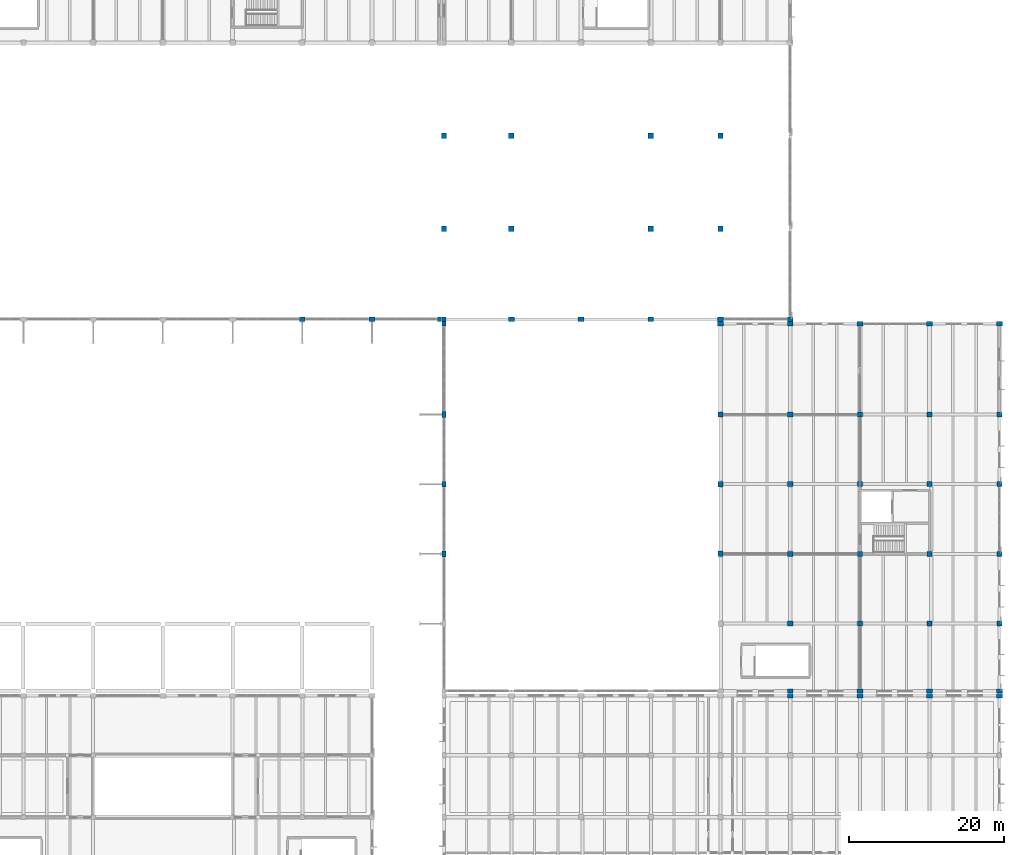
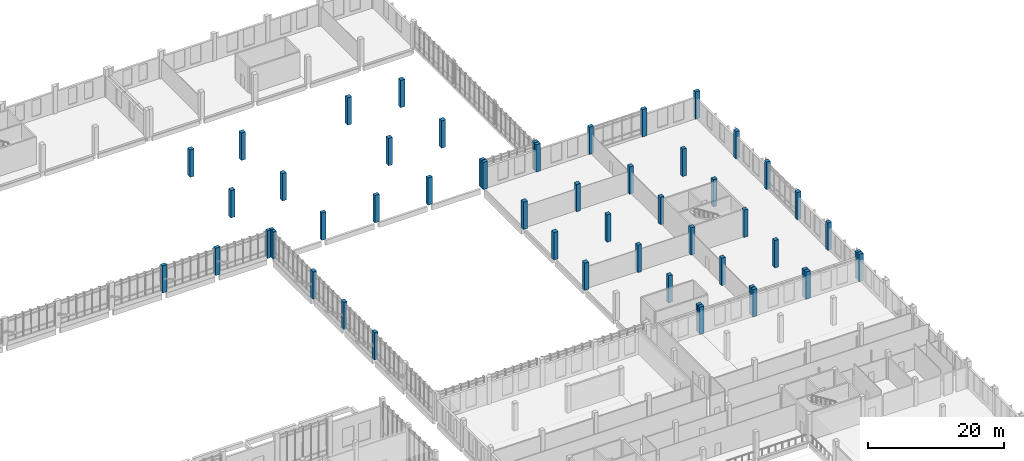
# One storey, part 9 of 110: 53 columns.
"""IFC4 building model written with IfcOpenShell, lengths in metres."""

from ifc_helpers import new_model, si_unit, direction, frame, origin, origin_2d, place, context, subcontext, project, spatial, rectangle, extrude, material, material_profile, profile_set, type_object, element, save


model = new_model("IFC4")

# Units and contexts
model_context = context("Model", 3, precision=1e-05, world=origin(), true_north=direction((0.0, 1.0)))
body_context = subcontext(model_context, "Body", "Model", "MODEL_VIEW")
ifc_project = project(units=[si_unit("LENGTHUNIT", "METRE"), si_unit("AREAUNIT", "SQUARE_METRE"), si_unit("VOLUMEUNIT", "CUBIC_METRE"), si_unit("PLANEANGLEUNIT", "RADIAN"), si_unit("MASSUNIT", "GRAM", prefix="KILO")], contexts=[model_context])

# Site, building, storey
site_placement = place(None, origin())
site = spatial("IfcSite", under=ifc_project, at=site_placement, CompositionType="ELEMENT")
building_placement = place(site_placement, origin())
building = spatial("IfcBuilding", under=site, at=building_placement, Name="Zacnel Wholesale Market", CompositionType="ELEMENT")
storey_placement = place(building_placement, frame((0.0, 0.0, 6.300048828125)))
storey = spatial("IfcBuildingStorey", under=building, at=storey_placement, Name="L02", CompositionType="ELEMENT", Elevation=6.300048828125)

# Columns
ifc_material_1 = material(Name="Precast concrete C45/55", Category="concrete")
ifc_material_profile_1 = material_profile(ifc_material_1, rectangle(XDim=0.550048828125, YDim=0.75, at=origin_2d()), Name="PC 550x750")
ifc_profile_set_1 = profile_set([ifc_material_profile_1], Name="Precast concrete C45/55")
column_type_1 = type_object("IfcColumnType", Name="COL-MJ550X750", PredefinedType="COLUMN", material=ifc_profile_set_1)
for number, where, z_axis, x_axis, name in (
    (1, (144.300048828125, 66.0, 0.0), (0.0, 0.0, 1.0), (1.0, 0.0, 0.0), "Precast column L02-0539"),
    (2, (144.300048828125, 75.0, 0.0), (0.0, 0.0, 1.0), (1.0, 0.0, 0.0), "Precast column L02-0540"),
    (3, (144.300048828125, 84.0, 0.0), (0.0, 0.0, 1.0), (1.0, 0.0, 0.0), "Precast column L02-0541"),
):
    element("IfcColumn", number, at=place(storey_placement, frame(where, z_axis=z_axis, x_axis=x_axis)), inside=storey, type_object=column_type_1, Name=name, PredefinedType="COLUMN", context=body_context, shape_type="SweptSolid", body=[
        extrude(rectangle(XDim=0.550048828125, YDim=0.75, at=origin_2d()), origin(), (0.0, 0.0, 1.0), 4.89990234375),
    ])
ifc_material_2 = material(Name="Precast concrete C45/55", Category="concrete")
ifc_material_profile_2 = material_profile(ifc_material_2, rectangle(XDim=0.75, YDim=0.550048828125, at=origin_2d()), Name="PC 750x550")
ifc_profile_set_2 = profile_set([ifc_material_profile_2], Name="Precast concrete C45/55")
column_type_2 = type_object("IfcColumnType", Name="COL-MJ750X550", PredefinedType="COLUMN", material=ifc_profile_set_2)
for number, where, z_axis, x_axis, name in (
    (4, (126.0, 96.300048828125, 0.0), (0.0, 0.0, 1.0), (1.0, 0.0, 0.0), "Precast column L02-0514"),
    (5, (135.0, 96.300048828125, 0.0), (0.0, 0.0, 1.0), (1.0, 0.0, 0.0), "Precast column L02-0522"),
    (6, (153.0, 96.300048828125, 0.0), (0.0, 0.0, 1.0), (1.0, 0.0, 0.0), "Precast column L02-0553"),
    (7, (162.0, 96.300048828125, 0.0), (0.0, 0.0, 1.0), (1.0, 0.0, 0.0), "Precast column L02-0563"),
    (8, (171.0, 96.300048828125, 0.0), (0.0, 0.0, 1.0), (1.0, 0.0, 0.0), "Precast column L02-0573"),
    (9, (180.0, 95.699951171875, 0.0), (0.0, 0.0, 1.0), (1.0, 0.0, 0.0), "Precast column L02-0587"),
    (10, (180.0, 96.300048828125, 0.0), (0.0, 0.0, 1.0), (1.0, 0.0, 0.0), "Precast column L02-0588"),
    (11, (189.0, 47.699951171875, 0.0), (0.0, 0.0, 1.0), (1.0, 0.0, 0.0), "Precast column L02-0597"),
    (12, (189.0, 48.300048828125, 0.0), (0.0, 0.0, 1.0), (1.0, 0.0, 0.0), "Precast column L02-0598"),
    (13, (189.0, 95.699951171875, 0.0), (0.0, 0.0, 1.0), (1.0, 0.0, 0.0), "Precast column L02-0603"),
    (14, (189.0, 96.300048828125, 0.0), (0.0, 0.0, 1.0), (1.0, 0.0, 0.0), "Precast column L02-0604"),
    (15, (198.0, 47.699951171875, 0.0), (0.0, 0.0, 1.0), (1.0, 0.0, 0.0), "Precast column L02-0613"),
    (16, (198.0, 48.300048828125, 0.0), (0.0, 0.0, 1.0), (1.0, 0.0, 0.0), "Precast column L02-0614"),
    (17, (198.0, 95.699951171875, 0.0), (0.0, 0.0, 1.0), (1.0, 0.0, 0.0), "Precast column L02-0619"),
    (18, (207.0, 47.699951171875, 0.0), (0.0, 0.0, 1.0), (1.0, 0.0, 0.0), "Precast column L02-0626"),
    (19, (207.0, 48.300048828125, 0.0), (0.0, 0.0, 1.0), (1.0, 0.0, 0.0), "Precast column L02-0627"),
    (20, (207.0, 95.699951171875, 0.0), (0.0, 0.0, 1.0), (1.0, 0.0, 0.0), "Precast column L02-0632"),
    (21, (216.0, 47.699951171875, 0.0), (0.0, 0.0, 1.0), (1.0, 0.0, 0.0), "Precast column L02-0639"),
    (22, (216.0, 48.300048828125, 0.0), (0.0, 0.0, 1.0), (1.0, 0.0, 0.0), "Precast column L02-0640"),
    (23, (216.0, 95.699951171875, 0.0), (0.0, 0.0, 1.0), (1.0, 0.0, 0.0), "Precast column L02-0645"),
):
    element("IfcColumn", number, at=place(storey_placement, frame(where, z_axis=z_axis, x_axis=x_axis)), inside=storey, type_object=column_type_2, Name=name, PredefinedType="COLUMN", context=body_context, shape_type="SweptSolid", body=[
        extrude(rectangle(XDim=0.75, YDim=0.550048828125, at=origin_2d()), origin(), (0.0, 0.0, 1.0), 4.89990234375),
    ])
ifc_material_3 = material(Name="Precast concrete C45/55", Category="concrete")
ifc_material_profile_3 = material_profile(ifc_material_3, rectangle(XDim=0.550048828125, YDim=0.550048828125, at=origin_2d()), Name="PC 550x550")
ifc_profile_set_3 = profile_set([ifc_material_profile_3], Name="Precast concrete C45/55")
column_type_3 = type_object("IfcColumnType", Name="COL-PC550", PredefinedType="COLUMN", material=ifc_profile_set_3)
for number, where, z_axis, x_axis, name in (
    (24, (143.699951171875, 96.300048828125, 0.0), (0.0, 0.0, 1.0), (1.0, 0.0, 0.0), "Precast column L02-0527"),
    (25, (144.300048828125, 95.699951171875, 0.0), (0.0, 0.0, 1.0), (1.0, 0.0, 0.0), "Precast column L02-0542"),
    (26, (144.300048828125, 96.300048828125, 0.0), (0.0, 0.0, 1.0), (1.0, 0.0, 0.0), "Precast column L02-0543"),
):
    element("IfcColumn", number, at=place(storey_placement, frame(where, z_axis=z_axis, x_axis=x_axis)), inside=storey, type_object=column_type_3, Name=name, PredefinedType="COLUMN", context=body_context, shape_type="SweptSolid", body=[
        extrude(rectangle(XDim=0.550048828125, YDim=0.550048828125, at=origin_2d()), origin(), (0.0, 0.0, 1.0), 4.89990234375),
    ])
ifc_material_4 = material(Name="Precast concrete C45/55", Category="concrete")
ifc_material_profile_4 = material_profile(ifc_material_4, rectangle(XDim=0.64990234375, YDim=0.64990234375, at=origin_2d()), Name="PC 650x650")
ifc_profile_set_4 = profile_set([ifc_material_profile_4], Name="Precast concrete C45/55")
column_type_4 = type_object("IfcColumnType", Name="COL-PC650", PredefinedType="COLUMN", material=ifc_profile_set_4)
for number, where, z_axis, x_axis, name in (
    (27, (189.0, 57.0, 0.0), (0.0, 0.0, 1.0), (1.0, 0.0, 0.0), "Precast column L02-0599"),
    (28, (189.0, 66.0, 0.0), (0.0, 0.0, 1.0), (1.0, 0.0, 0.0), "Precast column L02-0600"),
    (29, (189.0, 75.0, 0.0), (0.0, 0.0, 1.0), (1.0, 0.0, 0.0), "Precast column L02-0601"),
    (30, (189.0, 84.0, 0.0), (0.0, 0.0, 1.0), (1.0, 0.0, 0.0), "Precast column L02-0602"),
    (31, (198.0, 57.0, 0.0), (0.0, 0.0, 1.0), (1.0, 0.0, 0.0), "Precast column L02-0615"),
    (32, (198.0, 66.0, 0.0), (0.0, 0.0, 1.0), (1.0, 0.0, 0.0), "Precast column L02-0616"),
    (33, (198.0, 75.0, 0.0), (0.0, 0.0, 1.0), (1.0, 0.0, 0.0), "Precast column L02-0617"),
    (34, (198.0, 84.0, 0.0), (0.0, 0.0, 1.0), (1.0, 0.0, 0.0), "Precast column L02-0618"),
    (35, (207.0, 57.0, 0.0), (0.0, 0.0, 1.0), (1.0, 0.0, 0.0), "Precast column L02-0628"),
    (36, (207.0, 66.0, 0.0), (0.0, 0.0, 1.0), (1.0, 0.0, 0.0), "Precast column L02-0629"),
    (37, (207.0, 75.0, 0.0), (0.0, 0.0, 1.0), (1.0, 0.0, 0.0), "Precast column L02-0630"),
    (38, (207.0, 84.0, 0.0), (0.0, 0.0, 1.0), (1.0, 0.0, 0.0), "Precast column L02-0631"),
    (39, (216.0, 57.0, 0.0), (0.0, 0.0, 1.0), (1.0, 0.0, 0.0), "Precast column L02-0641"),
    (40, (216.0, 66.0, 0.0), (0.0, 0.0, 1.0), (1.0, 0.0, 0.0), "Precast column L02-0642"),
    (41, (216.0, 75.0, 0.0), (0.0, 0.0, 1.0), (1.0, 0.0, 0.0), "Precast column L02-0643"),
    (42, (216.0, 84.0, 0.0), (0.0, 0.0, 1.0), (1.0, 0.0, 0.0), "Precast column L02-0644"),
):
    element("IfcColumn", number, at=place(storey_placement, frame(where, z_axis=z_axis, x_axis=x_axis)), inside=storey, type_object=column_type_4, Name=name, PredefinedType="COLUMN", context=body_context, shape_type="SweptSolid", body=[
        extrude(rectangle(XDim=0.64990234375, YDim=0.64990234375, at=origin_2d()), origin(), (0.0, 0.0, 1.0), 4.89990234375),
    ])
ifc_material_5 = material(Name="Precast concrete C45/55", Category="concrete")
ifc_material_profile_5 = material_profile(ifc_material_5, rectangle(XDim=0.699951171875, YDim=0.699951171875, at=origin_2d()), Name="PC 700x700")
ifc_profile_set_5 = profile_set([ifc_material_profile_5], Name="Precast concrete C45/55")
column_type_5 = type_object("IfcColumnType", Name="COL-PC700", PredefinedType="COLUMN", material=ifc_profile_set_5)
for number, where, z_axis, x_axis, name in (
    (43, (180.0, 66.0, 0.0), (0.0, 0.0, 1.0), (1.0, 0.0, 0.0), "Precast column L02-0584"),
    (44, (180.0, 75.0, 0.0), (0.0, 0.0, 1.0), (1.0, 0.0, 0.0), "Precast column L02-0585"),
    (45, (180.0, 84.0, 0.0), (0.0, 0.0, 1.0), (1.0, 0.0, 0.0), "Precast column L02-0586"),
    (46, (153.0, 108.0, 0.0), (0.0, 0.0, 1.0), (1.0, 0.0, 0.0), "Crossing drum column L02-01"),
    (47, (171.0, 108.0, 0.0), (0.0, 0.0, 1.0), (1.0, 0.0, 0.0), "Crossing drum column L02-02"),
    (48, (153.0, 120.0, 0.0), (0.0, 0.0, 1.0), (1.0, 0.0, 0.0), "Crossing drum column L02-03"),
    (49, (171.0, 120.0, 0.0), (0.0, 0.0, 1.0), (1.0, 0.0, 0.0), "Crossing drum column L02-04"),
    (50, (144.300048828125, 108.0, 0.0), (0.0, 0.0, 1.0), (1.0, 0.0, 0.0), "Crossing drum column L02-05"),
    (51, (144.300048828125, 120.0, 0.0), (0.0, 0.0, 1.0), (1.0, 0.0, 0.0), "Crossing drum column L02-06"),
    (52, (180.0, 108.0, 0.0), (0.0, 0.0, 1.0), (1.0, 0.0, 0.0), "Crossing drum column L02-07"),
    (53, (180.0, 120.0, 0.0), (0.0, 0.0, 1.0), (1.0, 0.0, 0.0), "Crossing drum column L02-08"),
):
    element("IfcColumn", number, at=place(storey_placement, frame(where, z_axis=z_axis, x_axis=x_axis)), inside=storey, type_object=column_type_5, Name=name, PredefinedType="COLUMN", context=body_context, shape_type="SweptSolid", body=[
        extrude(rectangle(XDim=0.699951171875, YDim=0.699951171875, at=origin_2d()), origin(), (0.0, 0.0, 1.0), 4.89990234375),
    ])

save(model, "model.ifc")
